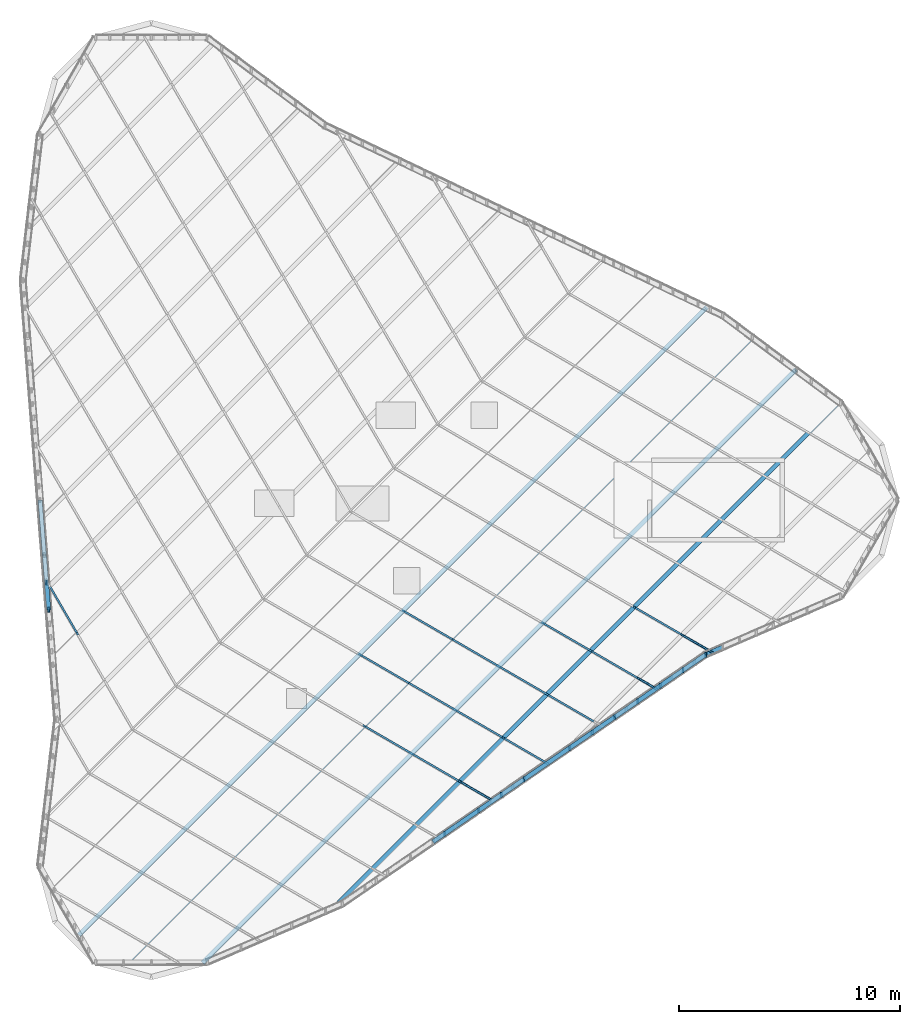
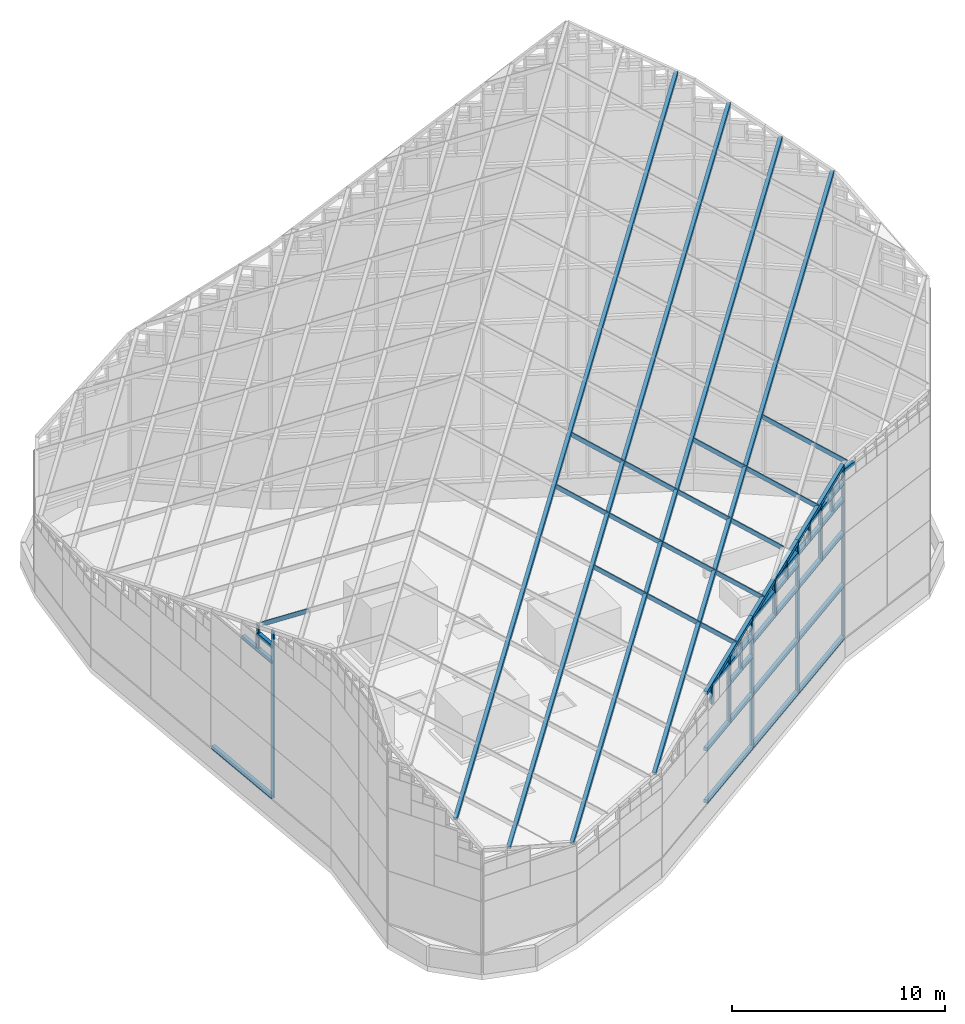
# One storey, part 3 of 29: 63 members, 1 element without a shape of its own.
"""IFC4 building model written with IfcOpenShell, lengths in metres."""

from ifc_helpers import new_model, si_unit, direction, frame, origin, origin_2d, place, context, subcontext, project, spatial, rectangle, extrude, material, material_profile, profile_set, type_object, element, aggregate, save


model = new_model("IFC4")

# Units and contexts
model_context = context("Model", 3, precision=1e-05, world=origin(), true_north=direction((0.0, 1.0)))
body_context = subcontext(model_context, "Body", "Model", "MODEL_VIEW")
ifc_project = project(units=[si_unit("LENGTHUNIT", "METRE"), si_unit("AREAUNIT", "SQUARE_METRE"), si_unit("VOLUMEUNIT", "CUBIC_METRE"), si_unit("PLANEANGLEUNIT", "RADIAN"), si_unit("MASSUNIT", "GRAM", prefix="KILO")], contexts=[model_context])

# Site, building, storey
site_placement = place(None, origin())
site = spatial("IfcSite", under=ifc_project, at=site_placement, CompositionType="ELEMENT")
building_placement = place(site_placement, origin())
building = spatial("IfcBuilding", under=site, at=building_placement, Name="Tanit Gate Tower", CompositionType="ELEMENT")
storey_placement = place(building_placement, frame((0.0, 0.0, 445.300048828125)))
storey = spatial("IfcBuildingStorey", under=building, at=storey_placement, Name="ROOF", CompositionType="ELEMENT", Elevation=445.300048828125)

# Curtain wall, members
ifc_material_1 = material(Name="Aluminium bronze anodised and glass", Category="aluminium")
curtain_wall_type = type_object("IfcCurtainWallType", Name="Curtain wall crown roof", PredefinedType="NOTDEFINED", material=ifc_material_1)
curtain_wall_placement = place(storey_placement, origin())
curtain_wall = element("IfcCurtainWall", 1, at=curtain_wall_placement, inside=storey, type_object=curtain_wall_type, Name="Crown lantern", PredefinedType="NOTDEFINED")
ifc_material_2 = material(Name="Aluminium bronze anodised", Category="aluminium")
ifc_material_profile_1 = material_profile(ifc_material_2, rectangle(XDim=0.080078125, YDim=0.219970703125, at=origin_2d()), Name="80x220 bronze rafter")
ifc_profile_set_1 = profile_set([ifc_material_profile_1], Name="Aluminium bronze anodised")
member_type_1 = type_object("IfcMemberType", Name="Mullion 80x220 crown roof", PredefinedType="MULLION", material=ifc_profile_set_1)
member_1_placement = place(storey_placement, frame((-14.224853515625, -4.978759765625, 1.199951171875), z_axis=(0.0, 0.0, 1.0), x_axis=(1.0, 0.0, 0.0)))
member_1 = element("IfcMember", 2, at=member_1_placement, type_object=member_type_1, Name="Lantern mullion 17", PredefinedType="MULLION", context=body_context, shape_type="SweptSolid", body=[
    extrude(rectangle(XDim=0.080078125, YDim=0.219970703125, at=origin_2d()), origin(), (0.0, 0.0, 1.0), 9.5224609375),
])
member_2_placement = place(storey_placement, frame((7.308837890625, -12.654541015625, 1.199951171875), z_axis=(0.0, 0.0, 1.0), x_axis=(1.0, 0.0, 0.0)))
member_2 = element("IfcMember", 3, at=member_2_placement, type_object=member_type_1, Name="Lantern mullion 27", PredefinedType="MULLION", context=body_context, shape_type="SweptSolid", body=[
    extrude(rectangle(XDim=0.080078125, YDim=0.219970703125, at=origin_2d()), origin(), (0.0, 0.0, 1.0), 7.439208984375),
])
member_3_placement = place(storey_placement, frame((11.424072265625, -9.829833984375, 1.199951171875), z_axis=(0.0, 0.0, 1.0), x_axis=(1.0, 0.0, 0.0)))
member_3 = element("IfcMember", 4, at=member_3_placement, type_object=member_type_1, Name="Lantern mullion 28", PredefinedType="MULLION", context=body_context, shape_type="SweptSolid", body=[
    extrude(rectangle(XDim=0.080078125, YDim=0.219970703125, at=origin_2d()), origin(), (0.0, 0.0, 1.0), 8.648193359375),
])
member_4_placement = place(storey_placement, frame((15.53955078125, -7.005126953125, 1.199951171875), z_axis=(0.0, 0.0, 1.0), x_axis=(1.0, 0.0, 0.0)))
member_4 = element("IfcMember", 5, at=member_4_placement, type_object=member_type_1, Name="Lantern mullion 29", PredefinedType="MULLION", context=body_context, shape_type="SweptSolid", body=[
    extrude(rectangle(XDim=0.080078125, YDim=0.219970703125, at=origin_2d()), origin(), (0.0, 0.0, 1.0), 9.85693359375),
])
member_5_placement = place(storey_placement, frame((-14.322021484375, -3.734619140625, 8.961181640625), z_axis=(0.0, 0.0, 1.0), x_axis=(1.0, 0.0, 0.0)))
member_5 = element("IfcMember", 6, at=member_5_placement, type_object=member_type_1, Name="Lantern clerestory bar 16.3.4", PredefinedType="MULLION", context=body_context, shape_type="SweptSolid", body=[
    extrude(rectangle(XDim=0.080078125, YDim=0.219970703125, at=origin_2d()), origin(), (0.0, 0.0, 1.0), 1.337890625),
])
member_6_placement = place(storey_placement, frame((5.2509765625, -14.06689453125, 4.199951171875), z_axis=(0.0, 0.0, 1.0), x_axis=(1.0, 0.0, 0.0)))
member_6 = element("IfcMember", 7, at=member_6_placement, type_object=member_type_1, Name="Lantern clerestory bar 26.2.1", PredefinedType="MULLION", context=body_context, shape_type="SweptSolid", body=[
    extrude(rectangle(XDim=0.080078125, YDim=0.219970703125, at=origin_2d()), origin(), (0.0, 0.0, 1.0), 3.8349609375),
])
member_7_placement = place(storey_placement, frame((3.707763671875, -15.1259765625, 6.419677734375), z_axis=(0.0, 0.0, 1.0), x_axis=(1.0, 0.0, 0.0)))
member_7 = element("IfcMember", 8, at=member_7_placement, type_object=member_type_1, Name="Lantern clerestory bar 26.2.5", PredefinedType="MULLION", context=body_context, shape_type="SweptSolid", body=[
    extrude(rectangle(XDim=0.080078125, YDim=0.219970703125, at=origin_2d()), origin(), (0.0, 0.0, 1.0), 1.10986328125),
])
member_8_placement = place(storey_placement, frame((6.27978515625, -13.360595703125, 6.419677734375), z_axis=(0.0, 0.0, 1.0), x_axis=(1.0, 0.0, 0.0)))
member_8 = element("IfcMember", 9, at=member_8_placement, type_object=member_type_1, Name="Lantern clerestory bar 26.2.9", PredefinedType="MULLION", context=body_context, shape_type="SweptSolid", body=[
    extrude(rectangle(XDim=0.080078125, YDim=0.219970703125, at=origin_2d()), origin(), (0.0, 0.0, 1.0), 1.91748046875),
])
member_9_placement = place(storey_placement, frame((9.366455078125, -11.2421875, 7.199951171875), z_axis=(0.0, 0.0, 1.0), x_axis=(1.0, 0.0, 0.0)))
member_9 = element("IfcMember", 10, at=member_9_placement, type_object=member_type_1, Name="Lantern clerestory bar 27.3.1", PredefinedType="MULLION", context=body_context, shape_type="SweptSolid", body=[
    extrude(rectangle(XDim=0.080078125, YDim=0.219970703125, at=origin_2d()), origin(), (0.0, 0.0, 1.0), 2.043701171875),
])
member_10_placement = place(storey_placement, frame((10.395263671875, -10.535888671875, 8.52392578125), z_axis=(0.0, 0.0, 1.0), x_axis=(1.0, 0.0, 0.0)))
member_10 = element("IfcMember", 11, at=member_10_placement, type_object=member_type_1, Name="Lantern clerestory bar 27.3.4", PredefinedType="MULLION", context=body_context, shape_type="SweptSolid", body=[
    extrude(rectangle(XDim=0.080078125, YDim=0.219970703125, at=origin_2d()), origin(), (0.0, 0.0, 1.0), 1.02197265625),
])
member_11_placement = place(storey_placement, frame((13.48193359375, -8.41748046875, 7.199951171875), z_axis=(0.0, 0.0, 1.0), x_axis=(1.0, 0.0, 0.0)))
member_11 = element("IfcMember", 12, at=member_11_placement, type_object=member_type_1, Name="Lantern clerestory bar 28.3.1", PredefinedType="MULLION", context=body_context, shape_type="SweptSolid", body=[
    extrude(rectangle(XDim=0.080078125, YDim=0.219970703125, at=origin_2d()), origin(), (0.0, 0.0, 1.0), 3.25244140625),
])
member_12_placement = place(storey_placement, frame((12.453125, -9.12353515625, 9.12841796875), z_axis=(0.0, 0.0, 1.0), x_axis=(1.0, 0.0, 0.0)))
member_12 = element("IfcMember", 13, at=member_12_placement, type_object=member_type_1, Name="Lantern clerestory bar 28.3.3", PredefinedType="MULLION", context=body_context, shape_type="SweptSolid", body=[
    extrude(rectangle(XDim=0.080078125, YDim=0.219970703125, at=origin_2d()), origin(), (0.0, 0.0, 1.0), 1.02197265625),
])
member_13_placement = place(storey_placement, frame((14.5107421875, -7.711181640625, 9.12841796875), z_axis=(0.0, 0.0, 1.0), x_axis=(1.0, 0.0, 0.0)))
member_13 = element("IfcMember", 14, at=member_13_placement, type_object=member_type_1, Name="Lantern clerestory bar 28.3.10", PredefinedType="MULLION", context=body_context, shape_type="SweptSolid", body=[
    extrude(rectangle(XDim=0.080078125, YDim=0.219970703125, at=origin_2d()), origin(), (0.0, 0.0, 1.0), 1.626220703125),
])
member_14_placement = place(storey_placement, frame((-12.92138671875, -6.059814453125, 12.101318359375), z_axis=(-0.420074144471, 0.723533362745, -0.547756502602), x_axis=(-0.864810745962, -0.502097972181, 0.0)))
member_14 = element("IfcMember", 15, at=member_14_placement, type_object=member_type_1, Name="Lantern rafter E3", PredefinedType="MULLION", context=body_context, shape_type="SweptSolid", body=[
    extrude(rectangle(XDim=0.080078125, YDim=0.219970703125, at=origin_2d()), origin(), (0.0, 0.0, 1.0), 3.0),
])
member_15_placement = place(storey_placement, frame((0.061279296875, -10.231201171875, 12.64599609375), z_axis=(0.723494582662, -0.420098879156, -0.547788755444), x_axis=(0.502140210865, 0.864786221347, 0.0)))
member_15 = element("IfcMember", 16, at=member_15_placement, type_object=member_type_1, Name="Lantern rafter W7", PredefinedType="MULLION", context=body_context, shape_type="SweptSolid", body=[
    extrude(rectangle(XDim=0.080078125, YDim=0.219970703125, at=origin_2d()), origin(), (0.0, 0.0, 1.0), 3.0),
])
member_16_placement = place(storey_placement, frame((2.231689453125, -11.491455078125, 11.002685546875), z_axis=(0.723508627725, -0.420141159031, -0.547737776765), x_axis=(0.502170713438, 0.864768509235, 0.0)))
member_16 = element("IfcMember", 17, at=member_16_placement, type_object=member_type_1, Name="Lantern rafter W7", PredefinedType="MULLION", context=body_context, shape_type="SweptSolid", body=[
    extrude(rectangle(XDim=0.080078125, YDim=0.219970703125, at=origin_2d()), origin(), (0.0, 0.0, 1.0), 3.000244140625),
])
member_17_placement = place(storey_placement, frame((4.40234375, -12.751953125, 9.359375), z_axis=(0.723452561113, -0.420107274647, -0.547837813233), x_axis=(0.502169527654, 0.864769197819, 0.0)))
member_17 = element("IfcMember", 18, at=member_17_placement, type_object=member_type_1, Name="Lantern rafter W7", PredefinedType="MULLION", context=body_context, shape_type="SweptSolid", body=[
    extrude(rectangle(XDim=0.080078125, YDim=0.219970703125, at=origin_2d()), origin(), (0.0, 0.0, 1.0), 2.070068359375),
])
member_18_placement = place(storey_placement, frame((-0.134033203125, -6.99560546875, 15.38330078125), z_axis=(0.723508627725, -0.420141159031, -0.547737776765), x_axis=(0.502170713438, 0.864768509235, 0.0)))
member_18 = element("IfcMember", 19, at=member_18_placement, type_object=member_type_1, Name="Lantern rafter W8", PredefinedType="MULLION", context=body_context, shape_type="SweptSolid", body=[
    extrude(rectangle(XDim=0.080078125, YDim=0.219970703125, at=origin_2d()), origin(), (0.0, 0.0, 1.0), 3.000244140625),
])
member_19_placement = place(storey_placement, frame((2.03662109375, -8.256103515625, 13.739990234375), z_axis=(0.723494582662, -0.420098879156, -0.547788755444), x_axis=(0.502140210865, 0.864786221347, 0.0)))
member_19 = element("IfcMember", 20, at=member_19_placement, type_object=member_type_1, Name="Lantern rafter W8", PredefinedType="MULLION", context=body_context, shape_type="SweptSolid", body=[
    extrude(rectangle(XDim=0.080078125, YDim=0.219970703125, at=origin_2d()), origin(), (0.0, 0.0, 1.0), 3.0),
])
member_20_placement = place(storey_placement, frame((4.20703125, -9.516357421875, 12.0966796875), z_axis=(0.723494582662, -0.420098879156, -0.547788755444), x_axis=(0.502140210865, 0.864786221347, 0.0)))
member_20 = element("IfcMember", 21, at=member_20_placement, type_object=member_type_1, Name="Lantern rafter W8", PredefinedType="MULLION", context=body_context, shape_type="SweptSolid", body=[
    extrude(rectangle(XDim=0.080078125, YDim=0.219970703125, at=origin_2d()), origin(), (0.0, 0.0, 1.0), 3.0),
])
member_21_placement = place(storey_placement, frame((6.37744140625, -10.776611328125, 10.453369140625), z_axis=(0.723483802031, -0.420113182327, -0.547792024617), x_axis=(0.502158592125, 0.864775547963, 0.0)))
member_21 = element("IfcMember", 22, at=member_21_placement, type_object=member_type_1, Name="Lantern rafter W8", PredefinedType="MULLION", context=body_context, shape_type="SweptSolid", body=[
    extrude(rectangle(XDim=0.080078125, YDim=0.219970703125, at=origin_2d()), origin(), (0.0, 0.0, 1.0), 2.745849609375),
])
member_22_placement = place(storey_placement, frame((1.84130859375, -5.0205078125, 16.477294921875), z_axis=(0.723494582662, -0.420098879156, -0.547788755444), x_axis=(0.502140210865, 0.864786221347, 0.0)))
member_22 = element("IfcMember", 23, at=member_22_placement, type_object=member_type_1, Name="Lantern rafter W9", PredefinedType="MULLION", context=body_context, shape_type="SweptSolid", body=[
    extrude(rectangle(XDim=0.080078125, YDim=0.219970703125, at=origin_2d()), origin(), (0.0, 0.0, 1.0), 3.0),
])
member_23_placement = place(storey_placement, frame((4.01171875, -6.28076171875, 14.833984375), z_axis=(0.723494582662, -0.420098879156, -0.547788755444), x_axis=(0.502140210865, 0.864786221347, 0.0)))
member_23 = element("IfcMember", 24, at=member_23_placement, type_object=member_type_1, Name="Lantern rafter W9", PredefinedType="MULLION", context=body_context, shape_type="SweptSolid", body=[
    extrude(rectangle(XDim=0.080078125, YDim=0.219970703125, at=origin_2d()), origin(), (0.0, 0.0, 1.0), 3.0),
])
member_24_placement = place(storey_placement, frame((6.18212890625, -7.541015625, 13.190673828125), z_axis=(0.723476378986, -0.420122432202, -0.547794734376), x_axis=(0.502170713438, 0.864768509235, 0.0)))
member_24 = element("IfcMember", 25, at=member_24_placement, type_object=member_type_1, Name="Lantern rafter W9", PredefinedType="MULLION", context=body_context, shape_type="SweptSolid", body=[
    extrude(rectangle(XDim=0.080078125, YDim=0.219970703125, at=origin_2d()), origin(), (0.0, 0.0, 1.0), 3.000244140625),
])
member_25_placement = place(storey_placement, frame((8.352783203125, -8.801513671875, 11.547119140625), z_axis=(0.723494582662, -0.420098879156, -0.547788755444), x_axis=(0.502140210865, 0.864786221347, 0.0)))
member_25 = element("IfcMember", 26, at=member_25_placement, type_object=member_type_1, Name="Lantern rafter W9", PredefinedType="MULLION", context=body_context, shape_type="SweptSolid", body=[
    extrude(rectangle(XDim=0.080078125, YDim=0.219970703125, at=origin_2d()), origin(), (0.0, 0.0, 1.0), 3.0),
])
member_26_placement = place(storey_placement, frame((8.157470703125, -5.56591796875, 14.28466796875), z_axis=(0.723462328546, -0.420080150726, -0.54784571381), x_axis=(0.502140210865, 0.864786221347, 0.0)))
member_26 = element("IfcMember", 27, at=member_26_placement, type_object=member_type_1, Name="Lantern rafter W10", PredefinedType="MULLION", context=body_context, shape_type="SweptSolid", body=[
    extrude(rectangle(XDim=0.080078125, YDim=0.219970703125, at=origin_2d()), origin(), (0.0, 0.0, 1.0), 3.0),
])
member_27_placement = place(storey_placement, frame((10.327880859375, -6.826171875, 12.64111328125), z_axis=(0.723533362745, -0.420074144471, -0.547756502602), x_axis=(0.502097972181, 0.864810745962, 0.0)))
member_27 = element("IfcMember", 28, at=member_27_placement, type_object=member_type_1, Name="Lantern rafter W10", PredefinedType="MULLION", context=body_context, shape_type="SweptSolid", body=[
    extrude(rectangle(XDim=0.080078125, YDim=0.219970703125, at=origin_2d()), origin(), (0.0, 0.0, 1.0), 3.0),
])
member_28_placement = place(storey_placement, frame((12.49853515625, -8.08642578125, 10.997802734375), z_axis=(0.7233601013, -0.420309822011, -0.547804543033), x_axis=(0.502398556597, 0.864636160665, 0.0)))
member_28 = element("IfcMember", 29, at=member_28_placement, type_object=member_type_1, Name="Lantern rafter W10", PredefinedType="MULLION", context=body_context, shape_type="SweptSolid", body=[
    extrude(rectangle(XDim=0.080078125, YDim=0.219970703125, at=origin_2d()), origin(), (0.0, 0.0, 1.0), 1.09716796875),
])
member_29_placement = place(storey_placement, frame((12.30322265625, -4.850830078125, 13.735107421875), z_axis=(0.723469846055, -0.420165895971, -0.547770026299), x_axis=(0.502212954116, 0.864743978712, 0.0)))
member_29 = element("IfcMember", 30, at=member_29_placement, type_object=member_type_1, Name="Lantern rafter W11", PredefinedType="MULLION", context=body_context, shape_type="SweptSolid", body=[
    extrude(rectangle(XDim=0.080078125, YDim=0.219970703125, at=origin_2d()), origin(), (0.0, 0.0, 1.0), 3.0),
])
member_30_placement = place(storey_placement, frame((14.4736328125, -6.111328125, 12.091796875), z_axis=(0.723530606539, -0.420067687425, -0.547765095076), x_axis=(0.502093630469, 0.86481326669, 0.0)))
member_30 = element("IfcMember", 31, at=member_30_placement, type_object=member_type_1, Name="Lantern rafter W11", PredefinedType="MULLION", context=body_context, shape_type="SweptSolid", body=[
    extrude(rectangle(XDim=0.080078125, YDim=0.219970703125, at=origin_2d()), origin(), (0.0, 0.0, 1.0), 1.848876953125),
])
ifc_material_3 = material(Name="Aluminium bronze anodised", Category="aluminium")
ifc_material_profile_2 = material_profile(ifc_material_3, rectangle(XDim=0.199951171875, YDim=0.199951171875, at=origin_2d()), Name="200x200 bronze transom")
ifc_profile_set_2 = profile_set([ifc_material_profile_2], Name="Aluminium bronze anodised")
member_type_2 = type_object("IfcMemberType", Name="Transom 200x200 crown roof", PredefinedType="USERDEFINED", material=ifc_profile_set_2)
member_31_placement = place(storey_placement, frame((-14.613525390625, -0.00244140625, 1.199951171875), z_axis=(0.077867157903, -0.996963743433, 0.0), x_axis=(0.996963743433, 0.077867157903, 0.0)))
member_31 = element("IfcMember", 32, at=member_31_placement, type_object=member_type_2, Name="Lantern eave beam 16", ObjectType="TRANSOM", PredefinedType="USERDEFINED", context=body_context, shape_type="SweptSolid", body=[
    extrude(rectangle(XDim=0.199951171875, YDim=0.199951171875, at=origin_2d()), origin(), (0.0, 0.0, 1.0), 4.991455078125),
])
member_32_placement = place(storey_placement, frame((3.193359375, -15.47900390625, 1.199951171875), z_axis=(0.824502613935, 0.565858144427, 0.0), x_axis=(-0.565858144427, 0.824502613935, 0.0)))
member_32 = element("IfcMember", 33, at=member_32_placement, type_object=member_type_2, Name="Lantern eave beam 26", ObjectType="TRANSOM", PredefinedType="USERDEFINED", context=body_context, shape_type="SweptSolid", body=[
    extrude(rectangle(XDim=0.199951171875, YDim=0.199951171875, at=origin_2d()), origin(), (0.0, 0.0, 1.0), 4.991455078125),
])
member_33_placement = place(storey_placement, frame((3.193359375, -15.47900390625, 7.430419921875), z_axis=(0.80134117927, 0.549962395621, 0.235358615327), x_axis=(-0.565858144427, 0.824502613935, 0.0)))
member_33 = element("IfcMember", 34, at=member_33_placement, type_object=member_type_2, Name="Lantern edge beam 26", ObjectType="TRANSOM", PredefinedType="USERDEFINED", context=body_context, shape_type="SweptSolid", body=[
    extrude(rectangle(XDim=0.199951171875, YDim=0.199951171875, at=origin_2d()), origin(), (0.0, 0.0, 1.0), 5.1357421875),
])
member_34_placement = place(storey_placement, frame((7.308837890625, -12.654541015625, 1.199951171875), z_axis=(0.8244641305, 0.565914213923, 0.0), x_axis=(-0.565914213923, 0.8244641305, 0.0)))
member_34 = element("IfcMember", 35, at=member_34_placement, type_object=member_type_2, Name="Lantern eave beam 27", ObjectType="TRANSOM", PredefinedType="USERDEFINED", context=body_context, shape_type="SweptSolid", body=[
    extrude(rectangle(XDim=0.199951171875, YDim=0.199951171875, at=origin_2d()), origin(), (0.0, 0.0, 1.0), 4.991455078125),
])
member_35_placement = place(storey_placement, frame((7.308837890625, -12.654541015625, 8.63916015625), z_axis=(0.801294249197, 0.550010350214, 0.235406331397), x_axis=(-0.565914213923, 0.8244641305, 0.0)))
member_35 = element("IfcMember", 36, at=member_35_placement, type_object=member_type_2, Name="Lantern edge beam 27", ObjectType="TRANSOM", PredefinedType="USERDEFINED", context=body_context, shape_type="SweptSolid", body=[
    extrude(rectangle(XDim=0.199951171875, YDim=0.199951171875, at=origin_2d()), origin(), (0.0, 0.0, 1.0), 5.1357421875),
])
member_36_placement = place(storey_placement, frame((11.424072265625, -9.829833984375, 1.199951171875), z_axis=(0.824479794121, 0.565891393367, 0.0), x_axis=(-0.565891393367, 0.824479794121, 0.0)))
member_36 = element("IfcMember", 37, at=member_36_placement, type_object=member_type_2, Name="Lantern eave beam 28", ObjectType="TRANSOM", PredefinedType="USERDEFINED", context=body_context, shape_type="SweptSolid", body=[
    extrude(rectangle(XDim=0.199951171875, YDim=0.199951171875, at=origin_2d()), origin(), (0.0, 0.0, 1.0), 4.99169921875),
])
member_37_placement = place(storey_placement, frame((11.424072265625, -9.829833984375, 9.84814453125), z_axis=(0.801320229013, 0.549995553757, 0.235352462113), x_axis=(-0.565891393367, 0.824479794121, 0.0)))
member_37 = element("IfcMember", 38, at=member_37_placement, type_object=member_type_2, Name="Lantern edge beam 28", ObjectType="TRANSOM", PredefinedType="USERDEFINED", context=body_context, shape_type="SweptSolid", body=[
    extrude(rectangle(XDim=0.199951171875, YDim=0.199951171875, at=origin_2d()), origin(), (0.0, 0.0, 1.0), 5.135986328125),
])
member_38_placement = place(storey_placement, frame((-14.419189453125, -2.490478515625, 8.961181640625), z_axis=(0.07786336105, -0.996964039976, 0.0), x_axis=(0.996964039976, 0.07786336105, 0.0)))
member_38 = element("IfcMember", 39, at=member_38_placement, type_object=member_type_2, Name="Lantern clerestory bar 16.3.3", ObjectType="TRANSOM", PredefinedType="USERDEFINED", context=body_context, shape_type="SweptSolid", body=[
    extrude(rectangle(XDim=0.199951171875, YDim=0.199951171875, at=origin_2d()), origin(), (0.0, 0.0, 1.0), 2.495849609375),
])
member_39_placement = place(storey_placement, frame((-14.322021484375, -3.734619140625, 9.841796875), z_axis=(0.07786336105, -0.996964039976, 0.0), x_axis=(0.996964039976, 0.07786336105, 0.0)))
member_39 = element("IfcMember", 40, at=member_39_placement, type_object=member_type_2, Name="Lantern clerestory bar 16.3.6", ObjectType="TRANSOM", PredefinedType="USERDEFINED", context=body_context, shape_type="SweptSolid", body=[
    extrude(rectangle(XDim=0.199951171875, YDim=0.199951171875, at=origin_2d()), origin(), (0.0, 0.0, 1.0), 1.248046875),
])
member_40_placement = place(storey_placement, frame((3.193359375, -15.47900390625, 4.199951171875), z_axis=(0.824502613935, 0.565858144427, 0.0), x_axis=(-0.565858144427, 0.824502613935, 0.0)))
member_40 = element("IfcMember", 41, at=member_40_placement, type_object=member_type_2, Name="Lantern clerestory transom 26.1", ObjectType="TRANSOM", PredefinedType="USERDEFINED", context=body_context, shape_type="SweptSolid", body=[
    extrude(rectangle(XDim=0.199951171875, YDim=0.199951171875, at=origin_2d()), origin(), (0.0, 0.0, 1.0), 4.991455078125),
])
member_41_placement = place(storey_placement, frame((3.5302734375, -15.247802734375, 7.529541015625), z_axis=(0.8245000453, 0.565861887124, 0.0), x_axis=(-0.565861887124, 0.8245000453, 0.0)))
member_41 = element("IfcMember", 42, at=member_41_placement, type_object=member_type_2, Name="Lantern clerestory bar 26.2.4", ObjectType="TRANSOM", PredefinedType="USERDEFINED", context=body_context, shape_type="SweptSolid", body=[
    extrude(rectangle(XDim=0.199951171875, YDim=0.199951171875, at=origin_2d()), origin(), (0.0, 0.0, 1.0), 0.839111328125),
])
member_42_placement = place(storey_placement, frame((4.22216796875, -14.77294921875, 7.529541015625), z_axis=(0.824509772864, 0.565847713128, 0.0), x_axis=(-0.565847713128, 0.824509772864, 0.0)))
member_42 = element("IfcMember", 43, at=member_42_placement, type_object=member_type_2, Name="Lantern clerestory bar 26.2.7", ObjectType="TRANSOM", PredefinedType="USERDEFINED", context=body_context, shape_type="SweptSolid", body=[
    extrude(rectangle(XDim=0.199951171875, YDim=0.199951171875, at=origin_2d()), origin(), (0.0, 0.0, 1.0), 1.247802734375),
])
member_43_placement = place(storey_placement, frame((5.2509765625, -14.06689453125, 6.419677734375), z_axis=(0.824495455848, 0.565868574217, 0.0), x_axis=(-0.565868574217, 0.824495455848, 0.0)))
member_43 = element("IfcMember", 44, at=member_43_placement, type_object=member_type_2, Name="Lantern clerestory bar 26.2.8", ObjectType="TRANSOM", PredefinedType="USERDEFINED", context=body_context, shape_type="SweptSolid", body=[
    extrude(rectangle(XDim=0.199951171875, YDim=0.199951171875, at=origin_2d()), origin(), (0.0, 0.0, 1.0), 2.495849609375),
])
member_44_placement = place(storey_placement, frame((5.2509765625, -14.06689453125, 7.529541015625), z_axis=(0.824418487826, 0.565980703674, 0.0), x_axis=(-0.565980703674, 0.824418487826, 0.0)))
member_44 = element("IfcMember", 45, at=member_44_placement, type_object=member_type_2, Name="Lantern clerestory bar 26.2.10", ObjectType="TRANSOM", PredefinedType="USERDEFINED", context=body_context, shape_type="SweptSolid", body=[
    extrude(rectangle(XDim=0.199951171875, YDim=0.199951171875, at=origin_2d()), origin(), (0.0, 0.0, 1.0), 1.247802734375),
])
member_45_placement = place(storey_placement, frame((6.27978515625, -13.360595703125, 7.529541015625), z_axis=(0.824572404725, 0.565756439968, 0.0), x_axis=(-0.565756439968, 0.824572404725, 0.0)))
member_45 = element("IfcMember", 46, at=member_45_placement, type_object=member_type_2, Name="Lantern clerestory bar 26.2.13", ObjectType="TRANSOM", PredefinedType="USERDEFINED", context=body_context, shape_type="SweptSolid", body=[
    extrude(rectangle(XDim=0.199951171875, YDim=0.199951171875, at=origin_2d()), origin(), (0.0, 0.0, 1.0), 1.248046875),
])
member_46_placement = place(storey_placement, frame((7.308837890625, -12.654541015625, 4.199951171875), z_axis=(0.8244641305, 0.565914213923, 0.0), x_axis=(-0.565914213923, 0.8244641305, 0.0)))
member_46 = element("IfcMember", 47, at=member_46_placement, type_object=member_type_2, Name="Lantern clerestory transom 27.1", ObjectType="TRANSOM", PredefinedType="USERDEFINED", context=body_context, shape_type="SweptSolid", body=[
    extrude(rectangle(XDim=0.199951171875, YDim=0.199951171875, at=origin_2d()), origin(), (0.0, 0.0, 1.0), 4.991455078125),
])
member_47_placement = place(storey_placement, frame((7.308837890625, -12.654541015625, 7.199951171875), z_axis=(0.8244641305, 0.565914213923, 0.0), x_axis=(-0.565914213923, 0.8244641305, 0.0)))
member_47 = element("IfcMember", 48, at=member_47_placement, type_object=member_type_2, Name="Lantern clerestory transom 27.2", ObjectType="TRANSOM", PredefinedType="USERDEFINED", context=body_context, shape_type="SweptSolid", body=[
    extrude(rectangle(XDim=0.199951171875, YDim=0.199951171875, at=origin_2d()), origin(), (0.0, 0.0, 1.0), 4.991455078125),
])
member_48_placement = place(storey_placement, frame((7.308837890625, -12.654541015625, 8.52392578125), z_axis=(0.8244641305, 0.565914213923, 0.0), x_axis=(-0.565914213923, 0.8244641305, 0.0)))
member_48 = element("IfcMember", 49, at=member_48_placement, type_object=member_type_2, Name="Lantern clerestory bar 27.3.2", ObjectType="TRANSOM", PredefinedType="USERDEFINED", context=body_context, shape_type="SweptSolid", body=[
    extrude(rectangle(XDim=0.199951171875, YDim=0.199951171875, at=origin_2d()), origin(), (0.0, 0.0, 1.0), 2.49560546875),
])
member_49_placement = place(storey_placement, frame((9.366455078125, -11.2421875, 8.52392578125), z_axis=(0.8244641305, 0.565914213923, 0.0), x_axis=(-0.565914213923, 0.8244641305, 0.0)))
member_49 = element("IfcMember", 50, at=member_49_placement, type_object=member_type_2, Name="Lantern clerestory bar 27.3.3", ObjectType="TRANSOM", PredefinedType="USERDEFINED", context=body_context, shape_type="SweptSolid", body=[
    extrude(rectangle(XDim=0.199951171875, YDim=0.199951171875, at=origin_2d()), origin(), (0.0, 0.0, 1.0), 2.49560546875),
])
member_50_placement = place(storey_placement, frame((9.366455078125, -11.2421875, 9.18603515625), z_axis=(0.824418487826, 0.565980703674, 0.0), x_axis=(-0.565980703674, 0.824418487826, 0.0)))
member_50 = element("IfcMember", 51, at=member_50_placement, type_object=member_type_2, Name="Lantern clerestory bar 27.3.5", ObjectType="TRANSOM", PredefinedType="USERDEFINED", context=body_context, shape_type="SweptSolid", body=[
    extrude(rectangle(XDim=0.199951171875, YDim=0.199951171875, at=origin_2d()), origin(), (0.0, 0.0, 1.0), 1.247802734375),
])
member_51_placement = place(storey_placement, frame((10.395263671875, -10.535888671875, 9.18603515625), z_axis=(0.824509772864, 0.565847713128, 0.0), x_axis=(-0.565847713128, 0.824509772864, 0.0)))
member_51 = element("IfcMember", 52, at=member_51_placement, type_object=member_type_2, Name="Lantern clerestory bar 27.3.6", ObjectType="TRANSOM", PredefinedType="USERDEFINED", context=body_context, shape_type="SweptSolid", body=[
    extrude(rectangle(XDim=0.199951171875, YDim=0.199951171875, at=origin_2d()), origin(), (0.0, 0.0, 1.0), 1.247802734375),
])
member_52_placement = place(storey_placement, frame((11.424072265625, -9.829833984375, 4.199951171875), z_axis=(0.824479794121, 0.565891393367, 0.0), x_axis=(-0.565891393367, 0.824479794121, 0.0)))
member_52 = element("IfcMember", 53, at=member_52_placement, type_object=member_type_2, Name="Lantern clerestory transom 28.1", ObjectType="TRANSOM", PredefinedType="USERDEFINED", context=body_context, shape_type="SweptSolid", body=[
    extrude(rectangle(XDim=0.199951171875, YDim=0.199951171875, at=origin_2d()), origin(), (0.0, 0.0, 1.0), 4.99169921875),
])
member_53_placement = place(storey_placement, frame((11.424072265625, -9.829833984375, 7.199951171875), z_axis=(0.824479794121, 0.565891393367, 0.0), x_axis=(-0.565891393367, 0.824479794121, 0.0)))
member_53 = element("IfcMember", 54, at=member_53_placement, type_object=member_type_2, Name="Lantern clerestory transom 28.2", ObjectType="TRANSOM", PredefinedType="USERDEFINED", context=body_context, shape_type="SweptSolid", body=[
    extrude(rectangle(XDim=0.199951171875, YDim=0.199951171875, at=origin_2d()), origin(), (0.0, 0.0, 1.0), 4.99169921875),
])
member_54_placement = place(storey_placement, frame((11.424072265625, -9.829833984375, 9.12841796875), z_axis=(0.824495455848, 0.565868574217, 0.0), x_axis=(-0.565868574217, 0.824495455848, 0.0)))
member_54 = element("IfcMember", 55, at=member_54_placement, type_object=member_type_2, Name="Lantern clerestory bar 28.3.2", ObjectType="TRANSOM", PredefinedType="USERDEFINED", context=body_context, shape_type="SweptSolid", body=[
    extrude(rectangle(XDim=0.199951171875, YDim=0.199951171875, at=origin_2d()), origin(), (0.0, 0.0, 1.0), 2.495849609375),
])
member_55_placement = place(storey_placement, frame((12.453125, -9.12353515625, 10.0927734375), z_axis=(0.824509772864, 0.565847713128, 0.0), x_axis=(-0.565847713128, 0.824509772864, 0.0)))
member_55 = element("IfcMember", 56, at=member_55_placement, type_object=member_type_2, Name="Lantern clerestory bar 28.3.8", ObjectType="TRANSOM", PredefinedType="USERDEFINED", context=body_context, shape_type="SweptSolid", body=[
    extrude(rectangle(XDim=0.199951171875, YDim=0.199951171875, at=origin_2d()), origin(), (0.0, 0.0, 1.0), 1.247802734375),
])
member_56_placement = place(storey_placement, frame((13.48193359375, -8.41748046875, 9.12841796875), z_axis=(0.8244641305, 0.565914213923, 0.0), x_axis=(-0.565914213923, 0.8244641305, 0.0)))
member_56 = element("IfcMember", 57, at=member_56_placement, type_object=member_type_2, Name="Lantern clerestory bar 28.3.9", ObjectType="TRANSOM", PredefinedType="USERDEFINED", context=body_context, shape_type="SweptSolid", body=[
    extrude(rectangle(XDim=0.199951171875, YDim=0.199951171875, at=origin_2d()), origin(), (0.0, 0.0, 1.0), 2.49560546875),
])
member_57_placement = place(storey_placement, frame((13.48193359375, -8.41748046875, 10.0927734375), z_axis=(0.824418487826, 0.565980703674, 0.0), x_axis=(-0.565980703674, 0.824418487826, 0.0)))
member_57 = element("IfcMember", 58, at=member_57_placement, type_object=member_type_2, Name="Lantern clerestory bar 28.3.11", ObjectType="TRANSOM", PredefinedType="USERDEFINED", context=body_context, shape_type="SweptSolid", body=[
    extrude(rectangle(XDim=0.199951171875, YDim=0.199951171875, at=origin_2d()), origin(), (0.0, 0.0, 1.0), 1.247802734375),
])
member_58_placement = place(storey_placement, frame((14.5107421875, -7.711181640625, 10.0927734375), z_axis=(0.824509772864, 0.565847713128, 0.0), x_axis=(-0.565847713128, 0.824509772864, 0.0)))
member_58 = element("IfcMember", 59, at=member_58_placement, type_object=member_type_2, Name="Lantern clerestory bar 28.3.14", ObjectType="TRANSOM", PredefinedType="USERDEFINED", context=body_context, shape_type="SweptSolid", body=[
    extrude(rectangle(XDim=0.199951171875, YDim=0.199951171875, at=origin_2d()), origin(), (0.0, 0.0, 1.0), 1.247802734375),
])
member_59_placement = place(storey_placement, frame((15.53955078125, -7.005126953125, 10.75390625), z_axis=(0.918294720734, 0.395897468888, 0.0), x_axis=(-0.395897468888, 0.918294720734, 0.0)))
member_59 = element("IfcMember", 60, at=member_59_placement, type_object=member_type_2, Name="Lantern clerestory bar 29.4.3", ObjectType="TRANSOM", PredefinedType="USERDEFINED", context=body_context, shape_type="SweptSolid", body=[
    extrude(rectangle(XDim=0.199951171875, YDim=0.199951171875, at=origin_2d()), origin(), (0.0, 0.0, 1.0), 0.833740234375),
])
member_60_placement = place(storey_placement, frame((-12.82177734375, -19.683349609375, 8.356201171875), z_axis=(0.658415494775, 0.658415494775, 0.364661586244), x_axis=(-0.707106781187, 0.707106781187, 0.0)))
member_60 = element("IfcMember", 61, at=member_60_placement, type_object=member_type_2, Name="Lantern purlin W2", ObjectType="TRANSOM", PredefinedType="USERDEFINED", context=body_context, shape_type="SweptSolid", body=[
    extrude(rectangle(XDim=0.199951171875, YDim=0.199951171875, at=origin_2d()), origin(), (0.0, 0.0, 1.0), 43.12109375),
])
member_61_placement = place(storey_placement, frame((-10.652099609375, -20.944580078125, 6.71240234375), z_axis=(0.658416501268, 0.658416501268, 0.36465795167), x_axis=(-0.707106781187, 0.707106781187, 0.0)))
member_61 = element("IfcMember", 62, at=member_61_placement, type_object=member_type_2, Name="Lantern purlin W3", ObjectType="TRANSOM", PredefinedType="USERDEFINED", context=body_context, shape_type="SweptSolid", body=[
    extrude(rectangle(XDim=0.199951171875, YDim=0.199951171875, at=origin_2d()), origin(), (0.0, 0.0, 1.0), 42.98486328125),
])
member_62_placement = place(storey_placement, frame((-7.21728515625, -20.940673828125, 5.769287109375), z_axis=(0.658415994, 0.658415994, 0.364659783484), x_axis=(-0.707106781187, 0.707106781187, 0.0)))
member_62 = element("IfcMember", 63, at=member_62_placement, type_object=member_type_2, Name="Lantern purlin W4", ObjectType="TRANSOM", PredefinedType="USERDEFINED", context=body_context, shape_type="SweptSolid", body=[
    extrude(rectangle(XDim=0.199951171875, YDim=0.199951171875, at=origin_2d()), origin(), (0.0, 0.0, 1.0), 40.754638671875),
])
member_63_placement = place(storey_placement, frame((-1.322021484375, -18.476318359375, 6.18896484375), z_axis=(0.658415973165, 0.658415973165, 0.364659858721), x_axis=(-0.707106781187, 0.707106781187, 0.0)))
member_63 = element("IfcMember", 64, at=member_63_placement, type_object=member_type_2, Name="Lantern purlin W5", ObjectType="TRANSOM", PredefinedType="USERDEFINED", context=body_context, shape_type="SweptSolid", body=[
    extrude(rectangle(XDim=0.199951171875, YDim=0.199951171875, at=origin_2d()), origin(), (0.0, 0.0, 1.0), 34.787353515625),
])
aggregate(curtain_wall, [member_31, member_1, member_32, member_33, member_2, member_34, member_35, member_3, member_36, member_37, member_4, member_38, member_5, member_39, member_40, member_6, member_41, member_7, member_42, member_43, member_8, member_44, member_45, member_46, member_47, member_9, member_48, member_49, member_10, member_50, member_51, member_52, member_53, member_11, member_54, member_12, member_55, member_56, member_13, member_57, member_58, member_59, member_14, member_60, member_61, member_62, member_63, member_15, member_16, member_17, member_18, member_19, member_20, member_21, member_22, member_23, member_24, member_25, member_26, member_27, member_28, member_29, member_30])

save(model, "model.ifc")
